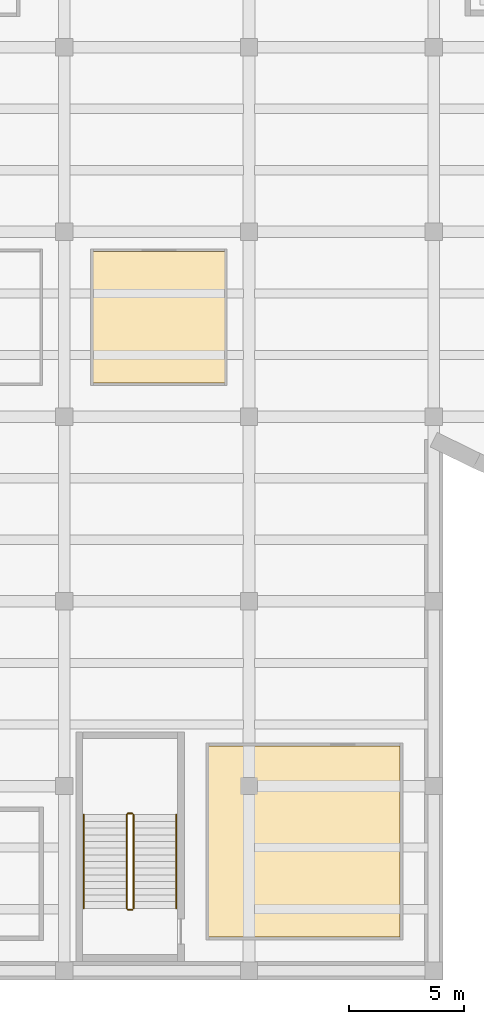
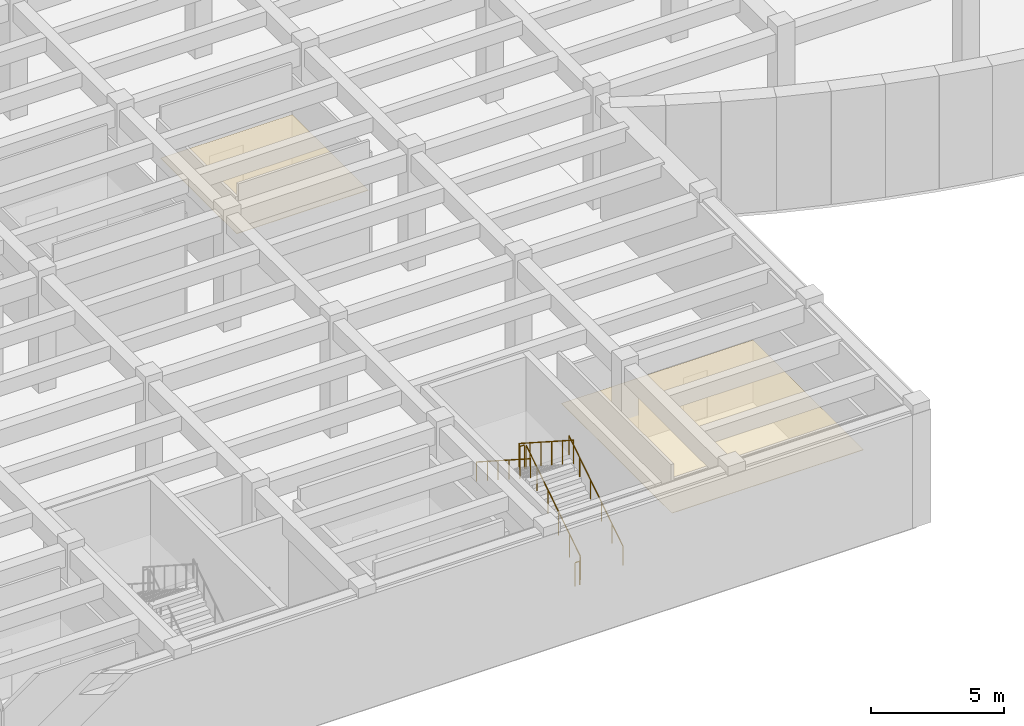
# One storey, part 14 of 19: 6 railings, 2 coverings.
"""IFC4 building model written with IfcOpenShell, lengths in metres."""

from ifc_helpers import new_model, si_unit, direction, frame, origin, origin_2d, place, context, subcontext, project, spatial, polyline, circle, outline, extrude, material, layer, layer_set, type_object, element, save


model = new_model("IFC4")

# Units and contexts
model_context = context("Model", 3, precision=1e-05, world=origin(), true_north=direction((0.0, 1.0)))
body_context = subcontext(model_context, "Body", "Model", "MODEL_VIEW")
ifc_project = project(units=[si_unit("LENGTHUNIT", "METRE"), si_unit("AREAUNIT", "SQUARE_METRE"), si_unit("VOLUMEUNIT", "CUBIC_METRE"), si_unit("PLANEANGLEUNIT", "RADIAN"), si_unit("MASSUNIT", "GRAM", prefix="KILO")], contexts=[model_context])

# Site, building, storey
site_placement = place(None, origin())
site = spatial("IfcSite", under=ifc_project, at=site_placement, CompositionType="ELEMENT")
building_placement = place(site_placement, origin())
building = spatial("IfcBuilding", under=site, at=building_placement, Name="Drelvath Fold Interchange", CompositionType="ELEMENT")
storey_placement = place(building_placement, frame((0.0, 0.0, -5.60009765625)))
storey = spatial("IfcBuildingStorey", under=building, at=storey_placement, Name="B1", CompositionType="ELEMENT", Elevation=-5.60009765625)

# Coverings
ifc_material_1 = material(Name="Perforated Aluminium Acoustic Ceiling", Category="aluminium")
ifc_layer = layer(ifc_material_1, 0.01806640625, Name="Perforated Aluminium Acoustic Ceiling")
ifc_layer_set = layer_set([ifc_layer], Name="Perforated Aluminium Acoustic Ceiling")
covering_type = type_object("IfcCoveringType", Name="CV-CEIL-AL18", PredefinedType="CEILING", material=ifc_layer_set)
covering_1_placement = place(storey_placement, frame((0.0, 0.0, 2.830078125)))
element("IfcCovering", 1, at=covering_1_placement, inside=storey, type_object=covering_type, Name="Transit Police Precinct Suite acoustic ceiling", PredefinedType="CEILING", context=body_context, shape_type="SweptSolid", body=[
    extrude(outline(polyline([(42.2548828125, 4.455078125), (50.544921875, 4.455078125), (50.544921875, 12.7451171875), (42.2548828125, 12.7451171875), (42.2548828125, 4.455078125)])), origin(), (0.0, 0.0, 1.0), 0.02001953125),
])
covering_2_placement = place(storey_placement, frame((0.0, 0.0, 2.830078125)))
element("IfcCovering", 2, at=covering_2_placement, inside=storey, type_object=covering_type, Name="Commuter Pharmacy Retail Unit acoustic ceiling", PredefinedType="CEILING", context=body_context, shape_type="SweptSolid", body=[
    extrude(outline(polyline([(37.248046875, 28.447021484375), (42.952880859375, 28.447021484375), (42.952880859375, 34.153076171875), (37.248046875, 34.153076171875), (37.248046875, 28.447021484375)])), origin(), (0.0, 0.0, 1.0), 0.02001953125),
])

# Railings
ifc_material_2 = material(Name="Stainless Steel 316L", Category="steel")
railing_type_1 = type_object("IfcRailingType", Name="RL-GRD1100", PredefinedType="GUARDRAIL", material=ifc_material_2)
railing_1_placement = place(storey_placement, frame((39.0, 5.699951171875, 0.186767578125)))
element("IfcRailing", 3, at=railing_1_placement, inside=storey, type_object=railing_type_1, Name="B1 ST-04 stair guard 1", PredefinedType="GUARDRAIL", context=body_context, shape_type="SweptSolid", body=[
    extrude(circle(Radius=0.02392578125, at=origin_2d()), frame((0.0, 0.0, 1.076171875), z_axis=(0.0, 0.840872768958, 0.541232839382), x_axis=(-1.0, 0.0, 0.0)), (0.0, 0.0, 1.0), 4.828369140625),
    extrude(circle(Radius=0.02099609375, at=origin_2d()), origin(), (0.0, 0.0, 1.0), 1.052001953125),
    extrude(circle(Radius=0.02099609375, at=origin_2d()), frame((0.0, 0.81201171875, 0.522705078125)), (0.0, 0.0, 1.0), 1.052001953125),
    extrude(circle(Radius=0.02099609375, at=origin_2d()), frame((0.0, 1.6240234375, 1.04541015625)), (0.0, 0.0, 1.0), 1.052001953125),
    extrude(circle(Radius=0.02099609375, at=origin_2d()), frame((0.0, 2.43603515625, 1.56787109375)), (0.0, 0.0, 1.0), 1.052001953125),
    extrude(circle(Radius=0.02099609375, at=origin_2d()), frame((0.0, 3.248046875, 2.090576171875)), (0.0, 0.0, 1.0), 1.052001953125),
    extrude(circle(Radius=0.02099609375, at=origin_2d()), frame((0.0, 4.06005859375, 2.61328125)), (0.0, 0.0, 1.0), 1.052001953125),
])
railing_2_placement = place(storey_placement, frame((38.949951171875, 9.81005859375, 2.800048828125)))
element("IfcRailing", 4, at=railing_2_placement, inside=storey, type_object=railing_type_1, Name="B1 ST-04 stair guard 2", PredefinedType="GUARDRAIL", context=body_context, shape_type="SweptSolid", body=[
    extrude(circle(Radius=0.02392578125, at=origin_2d()), frame((0.0, 0.0, 1.076171875), z_axis=(-1.0, 0.0, 0.0), x_axis=(0.0, -1.0, 0.0)), (0.0, 0.0, 1.0), 0.199951171875),
    extrude(circle(Radius=0.02099609375, at=origin_2d()), origin(), (0.0, 0.0, 1.0), 1.052001953125),
    extrude(circle(Radius=0.02099609375, at=origin_2d()), frame((-0.199951171875, 0.0, 0.0)), (0.0, 0.0, 1.0), 1.052001953125),
])
railing_3_placement = place(storey_placement, frame((38.699951171875, 9.760009765625, 2.98681640625)))
element("IfcRailing", 5, at=railing_3_placement, inside=storey, type_object=railing_type_1, Name="B1 ST-04 stair guard 3", PredefinedType="GUARDRAIL", context=body_context, shape_type="SweptSolid", body=[
    extrude(circle(Radius=0.02392578125, at=origin_2d()), frame((0.0, 0.0, 1.076171875), z_axis=(0.0, -0.840872768958, 0.541232839382), x_axis=(1.0, 0.0, 0.0)), (0.0, 0.0, 1.0), 4.828369140625),
    extrude(circle(Radius=0.02099609375, at=origin_2d()), origin(), (0.0, 0.0, 1.0), 1.052001953125),
    extrude(circle(Radius=0.02099609375, at=origin_2d()), frame((0.0, -0.81201171875, 0.522705078125)), (0.0, 0.0, 1.0), 1.052001953125),
    extrude(circle(Radius=0.02099609375, at=origin_2d()), frame((0.0, -1.6240234375, 1.04541015625)), (0.0, 0.0, 1.0), 1.052001953125),
    extrude(circle(Radius=0.02099609375, at=origin_2d()), frame((0.0, -2.43603515625, 1.56787109375)), (0.0, 0.0, 1.0), 1.052001953125),
    extrude(circle(Radius=0.02099609375, at=origin_2d()), frame((0.0, -3.248046875, 2.090576171875)), (0.0, 0.0, 1.0), 1.052001953125),
    extrude(circle(Radius=0.02099609375, at=origin_2d()), frame((0.0, -4.06005859375, 2.61328125)), (0.0, 0.0, 1.0), 1.052001953125),
])
railing_4_placement = place(storey_placement, frame((38.949951171875, 5.64990234375, 0.0)))
element("IfcRailing", 6, at=railing_4_placement, inside=storey, type_object=railing_type_1, Name="B1 ST-04 stair guard 4", PredefinedType="GUARDRAIL", context=body_context, shape_type="SweptSolid", body=[
    extrude(circle(Radius=0.02392578125, at=origin_2d()), frame((0.0, 0.0, 1.076171875), z_axis=(-1.0, 0.0, 0.0), x_axis=(0.0, -1.0, 0.0)), (0.0, 0.0, 1.0), 0.199951171875),
    extrude(circle(Radius=0.02099609375, at=origin_2d()), origin(), (0.0, 0.0, 1.0), 1.052001953125),
    extrude(circle(Radius=0.02099609375, at=origin_2d()), frame((-0.199951171875, 0.0, 0.0)), (0.0, 0.0, 1.0), 1.052001953125),
])
railing_type_2 = type_object("IfcRailingType", Name="RL-HND920", PredefinedType="HANDRAIL", material=ifc_material_2)
railing_5_placement = place(storey_placement, frame((40.85009765625, 5.699951171875, 0.186767578125)))
element("IfcRailing", 7, at=railing_5_placement, inside=storey, type_object=railing_type_2, Name="B1 ST-04 stair handrail 1", PredefinedType="HANDRAIL", context=body_context, shape_type="SweptSolid", body=[
    extrude(circle(Radius=0.02392578125, at=origin_2d()), frame((0.0, 0.0, 0.8759765625), z_axis=(0.0, 0.840872768958, 0.541232839382), x_axis=(-1.0, 0.0, 0.0)), (0.0, 0.0, 1.0), 4.828369140625),
    extrude(circle(Radius=0.02099609375, at=origin_2d()), origin(), (0.0, 0.0, 1.0), 0.851806640625),
    extrude(circle(Radius=0.02099609375, at=origin_2d()), frame((0.0, 0.81201171875, 0.522705078125)), (0.0, 0.0, 1.0), 0.851806640625),
    extrude(circle(Radius=0.02099609375, at=origin_2d()), frame((0.0, 1.6240234375, 1.04541015625)), (0.0, 0.0, 1.0), 0.851806640625),
    extrude(circle(Radius=0.02099609375, at=origin_2d()), frame((0.0, 2.43603515625, 1.56787109375)), (0.0, 0.0, 1.0), 0.851806640625),
    extrude(circle(Radius=0.02099609375, at=origin_2d()), frame((0.0, 3.248046875, 2.090576171875)), (0.0, 0.0, 1.0), 0.851806640625),
    extrude(circle(Radius=0.02099609375, at=origin_2d()), frame((0.0, 4.06005859375, 2.61328125)), (0.0, 0.0, 1.0), 0.851806640625),
])
railing_6_placement = place(storey_placement, frame((36.85009765625, 9.760009765625, 2.98681640625)))
element("IfcRailing", 8, at=railing_6_placement, inside=storey, type_object=railing_type_2, Name="B1 ST-04 stair handrail 2", PredefinedType="HANDRAIL", context=body_context, shape_type="SweptSolid", body=[
    extrude(circle(Radius=0.02392578125, at=origin_2d()), frame((0.0, 0.0, 0.8759765625), z_axis=(0.0, -0.840872768958, 0.541232839382), x_axis=(1.0, 0.0, 0.0)), (0.0, 0.0, 1.0), 4.828369140625),
    extrude(circle(Radius=0.02099609375, at=origin_2d()), origin(), (0.0, 0.0, 1.0), 0.851806640625),
    extrude(circle(Radius=0.02099609375, at=origin_2d()), frame((0.0, -0.81201171875, 0.522705078125)), (0.0, 0.0, 1.0), 0.851806640625),
    extrude(circle(Radius=0.02099609375, at=origin_2d()), frame((0.0, -1.6240234375, 1.04541015625)), (0.0, 0.0, 1.0), 0.851806640625),
    extrude(circle(Radius=0.02099609375, at=origin_2d()), frame((0.0, -2.43603515625, 1.56787109375)), (0.0, 0.0, 1.0), 0.851806640625),
    extrude(circle(Radius=0.02099609375, at=origin_2d()), frame((0.0, -3.248046875, 2.090576171875)), (0.0, 0.0, 1.0), 0.851806640625),
    extrude(circle(Radius=0.02099609375, at=origin_2d()), frame((0.0, -4.06005859375, 2.61328125)), (0.0, 0.0, 1.0), 0.851806640625),
])

save(model, "model.ifc")
